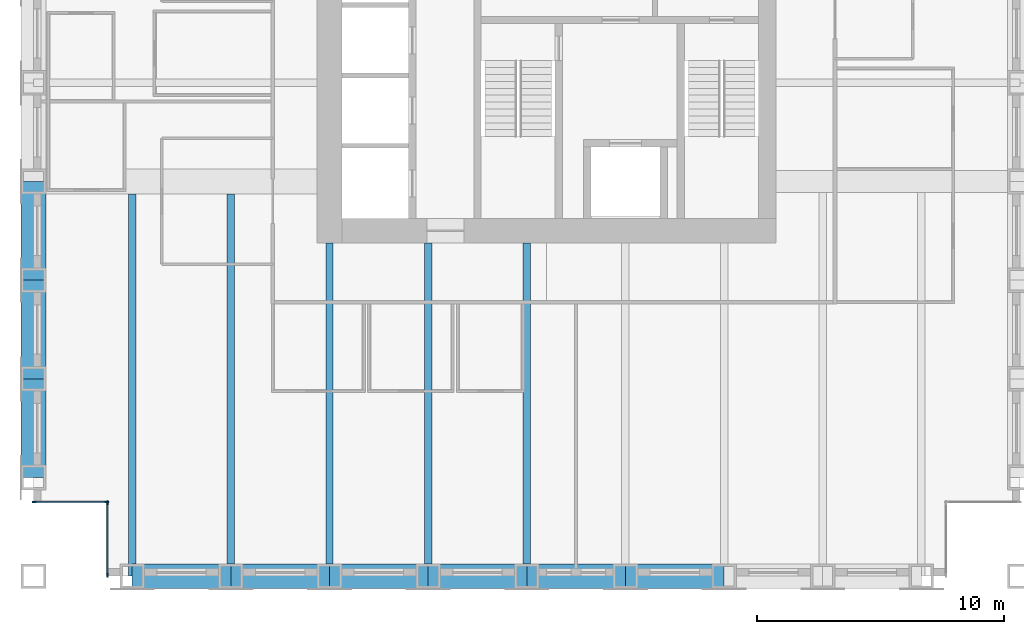
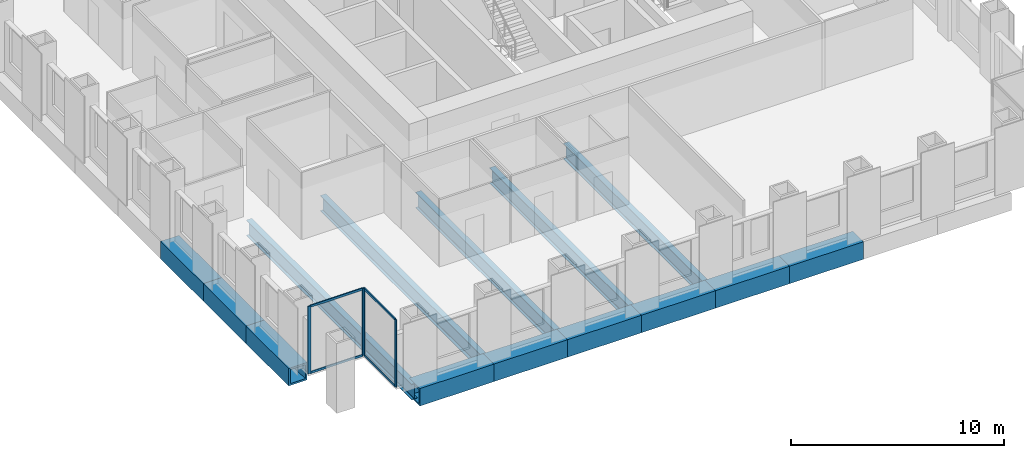
# One storey, part 2 of 13: 14 beams, 8 members, 2 elements without a shape of their own.
"""IFC4 building model written with IfcOpenShell, lengths in metres."""

import ifcopenshell
import ifcopenshell.guid

model = None  # the IFC model being written
_history = None  # IfcOwnerHistory: only IFC2X3 demands one
_inside = {}  # id of a spatial element -> (the spatial element, [elements in it])
_under = {}  # id of a project, library or spatial element -> (it, [spatial elements below it])
_declared = {}  # id of a project -> (the project, [libraries it declares])
_typed = {}  # id of a type object -> (the type object, [elements of that type])
_made_of = {}  # id of a material, layer set ... -> (it, [elements and type objects made of it])


def new_model(schema):
    """Start an empty IFC model of exactly this schema.

    Asked for "IFC4X3", IfcOpenShell would pick the latest addendum, in which some entities
    have other attributes; the version numbers below select the first issue.
    IFC2X3 requires an IfcOwnerHistory on every rooted entity: one is made here for all.
    """
    global model, _history
    if schema == "IFC4X3":
        model = ifcopenshell.file(schema_version=(4, 3, 0, 0))
    else:
        model = ifcopenshell.file(schema=schema)
    _inside.clear()
    _under.clear()
    _declared.clear()
    _typed.clear()
    _made_of.clear()
    _history = None
    if model.schema == "IFC2X3":
        org = make("IfcOrganization", Name="unknown")
        user = make(
            "IfcPersonAndOrganization",
            ThePerson=make("IfcPerson", FamilyName="unknown"),
            TheOrganization=org,
        )
        app = make(
            "IfcApplication",
            ApplicationDeveloper=org,
            Version="unknown",
            ApplicationFullName="unknown",
            ApplicationIdentifier="unknown",
        )
        _history = make(
            "IfcOwnerHistory",
            OwningUser=user,
            OwningApplication=app,
            ChangeAction="ADDED",
            CreationDate=0,
        )
    return model


def make(cls, **values):
    """One entity of the class cls with the attributes given. An attribute that is None is left unset."""
    return model.create_entity(
        cls, **{name: value for name, value in values.items() if value is not None}
    )


def rooted(cls, **values):
    """An entity with a GlobalId (a new one), such as an element, a storey or a relation."""
    return make(cls, GlobalId=ifcopenshell.guid.new(), OwnerHistory=_history, **values)


def si_unit(unit_type, name, prefix=None):
    """IfcSIUnit, for example si_unit("LENGTHUNIT", "METRE", prefix="MILLI")."""
    return make("IfcSIUnit", UnitType=unit_type, Prefix=prefix, Name=name)


def assignment(units):
    """IfcUnitAssignment: the units of a project."""
    return None if units is None else make("IfcUnitAssignment", Units=units)


def point(xyz):
    """IfcCartesianPoint."""
    return None if xyz is None else make("IfcCartesianPoint", Coordinates=xyz)


def direction(xyz):
    """IfcDirection."""
    return None if xyz is None else make("IfcDirection", DirectionRatios=xyz)


def frame(location, z_axis=None, x_axis=None):
    """IfcAxis2Placement3D, a coordinate frame: its origin and axes. An axis left out is left unset."""
    return make(
        "IfcAxis2Placement3D",
        Location=point(location),
        Axis=direction(z_axis),
        RefDirection=direction(x_axis),
    )


def frame_2d(location, x_axis=None):
    """IfcAxis2Placement2D, a coordinate frame in the plane: its origin and x axis."""
    return make(
        "IfcAxis2Placement2D", Location=point(location), RefDirection=direction(x_axis)
    )


def origin():
    """The frame at (0, 0, 0) with its axes left unset."""
    return frame((0.0, 0.0, 0.0))


def origin_2d():
    """The frame at (0, 0) in the plane with its x axis left unset."""
    return frame_2d((0.0, 0.0))


def place(relative_to, where):
    """IfcLocalPlacement: puts the frame where relative to a parent placement (None: the world)."""
    return make(
        "IfcLocalPlacement", PlacementRelTo=relative_to, RelativePlacement=where
    )


def context(
    kind, dimensions, precision=None, world=None, true_north=None, identifier=None
):
    """IfcGeometricRepresentationContext, for example the 3D "Model" context."""
    return make(
        "IfcGeometricRepresentationContext",
        ContextIdentifier=identifier,
        ContextType=kind,
        CoordinateSpaceDimension=dimensions,
        Precision=precision,
        WorldCoordinateSystem=world,
        TrueNorth=true_north,
    )


def subcontext(parent, identifier, kind, view, scale=None):
    """IfcGeometricRepresentationSubContext, for example "Body" below "Model"."""
    return make(
        "IfcGeometricRepresentationSubContext",
        ContextIdentifier=identifier,
        ContextType=kind,
        ParentContext=parent,
        TargetScale=scale,
        TargetView=view,
    )


def project(units=None, contexts=None):
    """IfcProject with its units and contexts."""
    return rooted(
        "IfcProject",
        Name="project",
        RepresentationContexts=contexts,
        UnitsInContext=assignment(units),
    )


def spatial(cls, under=None, at=None, **own):
    """A site, building, storey or space (cls), placed at a placement, below another one or the project."""
    s = rooted(cls, ObjectPlacement=at, **own)
    if under is not None:
        _under.setdefault(under.id(), (under, []))[1].append(s)
    return s


def profile(cls, at=None, kind="AREA", **sizes):
    """A parametric profile (cls). Its sizes go by their IFC names, for example OverallWidth=200.0."""
    return make(cls, ProfileType=kind, Position=at, **sizes)


def rectangle(**sizes):
    """IfcRectangleProfileDef."""
    return profile("IfcRectangleProfileDef", **sizes)


def hollow_rectangle(**sizes):
    """IfcRectangleHollowProfileDef."""
    return profile("IfcRectangleHollowProfileDef", **sizes)


def i_section(**sizes):
    """IfcIShapeProfileDef."""
    return profile("IfcIShapeProfileDef", **sizes)


def extrude(swept, where, along, depth):
    """IfcExtrudedAreaSolid: the profile swept, set in the frame where, extruded along a direction by depth."""
    return make(
        "IfcExtrudedAreaSolid",
        SweptArea=swept,
        Position=where,
        ExtrudedDirection=direction(along),
        Depth=depth,
    )


def shape(context_of_items, identifier, shape_type, items):
    """IfcShapeRepresentation: the items that make up one representation, for example the "Body"."""
    return make(
        "IfcShapeRepresentation",
        ContextOfItems=context_of_items,
        RepresentationIdentifier=identifier,
        RepresentationType=shape_type,
        Items=items,
    )


def material(Name=None, Category=None):
    """IfcMaterial."""
    return make("IfcMaterial", Name=Name, Category=Category)


def material_profile(
    of_material, cross_section, Name=None, Category=None, Priority=None
):
    """IfcMaterialProfile: a cross section and its material."""
    return make(
        "IfcMaterialProfile",
        Name=Name,
        Material=of_material,
        Profile=cross_section,
        Priority=Priority,
        Category=Category,
    )


def profile_set(profiles, Name=None, composite=None):
    """IfcMaterialProfileSet."""
    return make(
        "IfcMaterialProfileSet",
        Name=Name,
        MaterialProfiles=profiles,
        CompositeProfile=composite,
    )


def made_of(thing, what):
    """Note that an element or type object is made of a material, layer set ...; save() writes the relation."""
    if what is not None:
        _made_of.setdefault(what.id(), (what, []))[1].append(thing)
    return thing


def type_object(cls, material=None, **own):
    """A type object (cls), such as IfcWallType, which elements share."""
    return made_of(rooted(cls, **own), material)


def element(
    cls,
    number,
    at=None,
    inside=None,
    cuts=None,
    type_object=None,
    material=None,
    context=None,
    identifier="Body",
    shape_type=None,
    held_by="IfcProductDefinitionShape",
    body=None,
    shapes=None,
    **own,
):
    """One element of the class cls, such as IfcWall. Its Tag is "e" and its number.

    at: its placement. inside: the storey or other place that contains it. cuts: it is an
    opening in that element (IfcRelVoidsElement). A single representation is given by context,
    identifier, shape_type and body (its items); several are given by shapes. held_by: the class
    of the entity that holds the representations. save() writes the other relations.
    """
    e = rooted(cls, Tag="e%d" % number, ObjectPlacement=at, **own)
    if body is not None:
        shapes = [shape(context, identifier, shape_type, body)]
    if shapes is not None:
        e.Representation = make(held_by, Representations=shapes)
    if inside is not None:
        _inside.setdefault(inside.id(), (inside, []))[1].append(e)
    if cuts is not None:
        rooted(
            "IfcRelVoidsElement", RelatingBuildingElement=cuts, RelatedOpeningElement=e
        )
    if type_object is not None:
        _typed.setdefault(type_object.id(), (type_object, []))[1].append(e)
    return made_of(e, material)


def aggregate(whole, parts):
    """IfcRelAggregates: a whole, such as a stair, and the parts it consists of."""
    return rooted("IfcRelAggregates", RelatingObject=whole, RelatedObjects=parts)


def save(model, path):
    """Write the relations noted so far, then the file.

    IfcRelAggregates (storeys below a building ...), IfcRelContainedInSpatialStructure (elements
    in a storey), IfcRelDefinesByType, IfcRelAssociatesMaterial and IfcRelDeclares: one each for
    every whole, place, type object, material and project.
    """
    for whole, parts in _under.values():
        aggregate(whole, parts)
    for where, things in _inside.values():
        rooted(
            "IfcRelContainedInSpatialStructure",
            RelatedElements=things,
            RelatingStructure=where,
        )
    for kind, things in _typed.values():
        rooted("IfcRelDefinesByType", RelatedObjects=things, RelatingType=kind)
    for what, things in _made_of.values():
        rooted("IfcRelAssociatesMaterial", RelatedObjects=things, RelatingMaterial=what)
    for by, libraries in _declared.values():
        rooted("IfcRelDeclares", RelatingContext=by, RelatedDefinitions=libraries)
    model.write(path)


model = new_model("IFC4")

# Units and contexts
model_context = context("Model", 3, precision=1e-05, world=origin(), true_north=direction((0.0, 1.0)))
body_context = subcontext(model_context, "Body", "Model", "MODEL_VIEW")
ifc_project = project(units=[si_unit("LENGTHUNIT", "METRE"), si_unit("AREAUNIT", "SQUARE_METRE"), si_unit("VOLUMEUNIT", "CUBIC_METRE"), si_unit("PLANEANGLEUNIT", "RADIAN"), si_unit("MASSUNIT", "GRAM", prefix="KILO")], contexts=[model_context])

# Site, building, storey
site_placement = place(None, origin())
site = spatial("IfcSite", under=ifc_project, at=site_placement, CompositionType="ELEMENT")
building_placement = place(site_placement, origin())
building = spatial("IfcBuilding", under=site, at=building_placement, Name="Rimbunsela Tower", CompositionType="ELEMENT")
storey_placement = place(building_placement, frame((0.0, 0.0, 294.199951171875)))
storey = spatial("IfcBuildingStorey", under=building, at=storey_placement, Name="L71", CompositionType="ELEMENT", Elevation=294.199951171875)

# Beams
ifc_material_1 = material(Name="Steel BJ 55 (fy 410 MPa)", Category="steel")
ifc_material_profile_1 = material_profile(ifc_material_1, hollow_rectangle(XDim=1.0, YDim=1.0, WallThickness=0.10009765625, at=origin_2d()), Name="BOX 1000x1000x100")
ifc_profile_set_1 = profile_set([ifc_material_profile_1], Name="Steel BJ 55 (fy 410 MPa)")
beam_type_1 = type_object("IfcBeamType", Name="Beam BOX 1000x1000x100", PredefinedType="BEAM", material=ifc_profile_set_1)
for number, where, z_axis, x_axis, name in (
    (1, (6.0, 8.0, -0.64990234375), (0.0, 1.0, 0.0), (-1.0, 0.0, 0.0), "Beam B3 L71"),
    (2, (6.0, 12.0, -0.64990234375), (0.0, 1.0, 0.0), (-1.0, 0.0, 0.0), "Beam B3 L71"),
    (3, (6.0, 16.0, -0.64990234375), (0.0, 1.0, 0.0), (-1.0, 0.0, 0.0), "Beam B3 L71"),
    (4, (10.0, 4.0, -0.64990234375), (1.0, 0.0, 0.0), (0.0, 1.0, 0.0), "Beam B3 L71"),
    (5, (14.0, 4.0, -0.64990234375), (1.0, 0.0, 0.0), (0.0, 1.0, 0.0), "Beam B3 L71"),
    (6, (18.0, 4.0, -0.64990234375), (1.0, 0.0, 0.0), (0.0, 1.0, 0.0), "Beam B3 L71"),
    (7, (22.0, 4.0, -0.64990234375), (1.0, 0.0, 0.0), (0.0, 1.0, 0.0), "Beam B3 L71"),
    (8, (26.0, 4.0, -0.64990234375), (1.0, 0.0, 0.0), (0.0, 1.0, 0.0), "Beam B3 L71"),
    (9, (30.0, 4.0, -0.64990234375), (1.0, 0.0, 0.0), (0.0, 1.0, 0.0), "Beam B3 L71"),
):
    element("IfcBeam", number, at=place(storey_placement, frame(where, z_axis=z_axis, x_axis=x_axis)), inside=storey, type_object=beam_type_1, Name=name, PredefinedType="BEAM", context=body_context, shape_type="SweptSolid", body=[
        extrude(hollow_rectangle(XDim=1.0, YDim=1.0, WallThickness=0.10009765625, at=origin_2d()), origin(), (0.0, 0.0, 1.0), 4.0),
    ])
ifc_material_2 = material(Name="Steel BJ 55 (fy 410 MPa)", Category="steel")
ifc_material_profile_2 = material_profile(ifc_material_2, i_section(OverallWidth=0.300048828125, OverallDepth=0.89990234375, WebThickness=0.01611328125, FlangeThickness=0.028076171875, FilletRadius=0.028076171875, at=origin_2d()), Name="H 900x300x16x28")
ifc_profile_set_2 = profile_set([ifc_material_profile_2], Name="Steel BJ 55 (fy 410 MPa)")
beam_type_2 = type_object("IfcBeamType", Name="Beam H 900x300x16x28", PredefinedType="BEAM", material=ifc_profile_set_2)
for number, where, z_axis, x_axis, name in (
    (10, (10.0, 4.0, -0.599853515625), (0.0, 1.0, 0.0), (-1.0, 0.0, 0.0), "Beam B2 L71"),
    (11, (14.0, 4.0, -0.599853515625), (0.0, 1.0, 0.0), (-1.0, 0.0, 0.0), "Beam B2 L71"),
):
    element("IfcBeam", number, at=place(storey_placement, frame(where, z_axis=z_axis, x_axis=x_axis)), inside=storey, type_object=beam_type_2, Name=name, PredefinedType="BEAM", context=body_context, shape_type="SweptSolid", body=[
        extrude(i_section(OverallWidth=0.300048828125, OverallDepth=0.89990234375, WebThickness=0.01611328125, FlangeThickness=0.028076171875, FilletRadius=0.028076171875, at=origin_2d()), origin(), (0.0, 0.0, 1.0), 15.5),
    ])
for number, where, z_axis, x_axis, name in (
    (12, (18.0, 4.0, -0.599853515625), (0.0, 1.0, 0.0), (-1.0, 0.0, 0.0), "Beam B2 L71"),
    (13, (22.0, 4.0, -0.599853515625), (0.0, 1.0, 0.0), (-1.0, 0.0, 0.0), "Beam B2 L71"),
    (14, (26.0, 4.0, -0.599853515625), (0.0, 1.0, 0.0), (-1.0, 0.0, 0.0), "Beam B2 L71"),
):
    element("IfcBeam", number, at=place(storey_placement, frame(where, z_axis=z_axis, x_axis=x_axis)), inside=storey, type_object=beam_type_2, Name=name, PredefinedType="BEAM", context=body_context, shape_type="SweptSolid", body=[
        extrude(i_section(OverallWidth=0.300048828125, OverallDepth=0.89990234375, WebThickness=0.01611328125, FlangeThickness=0.028076171875, FilletRadius=0.028076171875, at=origin_2d()), origin(), (0.0, 0.0, 1.0), 13.5),
    ])

# Curtain wall, members
ifc_material_3 = material(Name="Aluminium curtain wall", Category="aluminium")
curtain_wall_type = type_object("IfcCurtainWallType", Name="Corner glazing", PredefinedType="USERDEFINED", material=ifc_material_3)
curtain_wall_1_placement = place(storey_placement, origin())
curtain_wall_1 = element("IfcCurtainWall", 15, at=curtain_wall_1_placement, inside=storey, type_object=curtain_wall_type, Name="Corner glazing L71", ObjectType="CORNER GLAZING", PredefinedType="USERDEFINED")
ifc_material_4 = material(Name="Aluminium mullion", Category="aluminium")
ifc_material_profile_3 = material_profile(ifc_material_4, rectangle(XDim=0.06005859375, YDim=0.159912109375, at=origin_2d()), Name="Mullion 60x160")
ifc_profile_set_3 = profile_set([ifc_material_profile_3], Name="Aluminium mullion")
member_type_1 = type_object("IfcMemberType", Name="Curtain wall mullion 60x160", PredefinedType="MULLION", material=ifc_profile_set_3)
member_1_placement = place(storey_placement, frame((6.030029296875, 7.0, 0.0), z_axis=(0.0, 0.0, 1.0), x_axis=(0.0, 1.0, 0.0)))
member_1 = element("IfcMember", 16, at=member_1_placement, type_object=member_type_1, Name="CW5 mullion 1", PredefinedType="MULLION", context=body_context, shape_type="SweptSolid", body=[
    extrude(rectangle(XDim=0.06005859375, YDim=0.159912109375, at=origin_2d()), origin(), (0.0, 0.0, 1.0), 3.85009765625),
])
member_2_placement = place(storey_placement, frame((8.969970703125, 7.0, 0.0), z_axis=(0.0, 0.0, 1.0), x_axis=(0.0, 1.0, 0.0)))
member_2 = element("IfcMember", 17, at=member_2_placement, type_object=member_type_1, Name="CW5 mullion 2", PredefinedType="MULLION", context=body_context, shape_type="SweptSolid", body=[
    extrude(rectangle(XDim=0.06005859375, YDim=0.159912109375, at=origin_2d()), origin(), (0.0, 0.0, 1.0), 3.85009765625),
])

curtain_wall_2_placement = place(storey_placement, origin())
curtain_wall_2 = element("IfcCurtainWall", 18, at=curtain_wall_2_placement, inside=storey, type_object=curtain_wall_type, Name="Corner glazing L71", ObjectType="CORNER GLAZING", PredefinedType="USERDEFINED")
member_3_placement = place(storey_placement, frame((9.0, 6.969970703125, 0.0), z_axis=(0.0, 0.0, 1.0), x_axis=(1.0, 0.0, 0.0)))
member_3 = element("IfcMember", 19, at=member_3_placement, type_object=member_type_1, Name="CW5 mullion 1", PredefinedType="MULLION", context=body_context, shape_type="SweptSolid", body=[
    extrude(rectangle(XDim=0.06005859375, YDim=0.159912109375, at=origin_2d()), origin(), (0.0, 0.0, 1.0), 3.85009765625),
])
member_4_placement = place(storey_placement, frame((9.0, 4.030029296875, 0.0), z_axis=(0.0, 0.0, 1.0), x_axis=(1.0, 0.0, 0.0)))
member_4 = element("IfcMember", 20, at=member_4_placement, type_object=member_type_1, Name="CW5 mullion 2", PredefinedType="MULLION", context=body_context, shape_type="SweptSolid", body=[
    extrude(rectangle(XDim=0.06005859375, YDim=0.159912109375, at=origin_2d()), origin(), (0.0, 0.0, 1.0), 3.85009765625),
])

# Member
ifc_material_5 = material(Name="Aluminium transom", Category="aluminium")
ifc_material_profile_4 = material_profile(ifc_material_5, rectangle(XDim=0.06005859375, YDim=0.1201171875, at=origin_2d()), Name="Transom 60x120")
ifc_profile_set_4 = profile_set([ifc_material_profile_4], Name="Aluminium transom")
member_type_2 = type_object("IfcMemberType", Name="Curtain wall transom 60x120", PredefinedType="USERDEFINED", material=ifc_profile_set_4)
member_5_placement = place(storey_placement, frame((6.06005859375, 7.0, 0.030029296875), z_axis=(1.0, 0.0, 0.0), x_axis=(0.0, 1.0, 0.0)))
member_5 = element("IfcMember", 21, at=member_5_placement, type_object=member_type_2, Name="CW5 transom 1.1", ObjectType="TRANSOM", PredefinedType="USERDEFINED", context=body_context, shape_type="SweptSolid", body=[
    extrude(rectangle(XDim=0.06005859375, YDim=0.1201171875, at=origin_2d()), origin(), (0.0, 0.0, 1.0), 2.8798828125),
])

member_6_placement = place(storey_placement, frame((6.06005859375, 7.0, 3.820068359375), z_axis=(1.0, 0.0, 0.0), x_axis=(0.0, 1.0, 0.0)))
member_6 = element("IfcMember", 22, at=member_6_placement, type_object=member_type_2, Name="CW5 transom 1.2", ObjectType="TRANSOM", PredefinedType="USERDEFINED", context=body_context, shape_type="SweptSolid", body=[
    extrude(rectangle(XDim=0.06005859375, YDim=0.1201171875, at=origin_2d()), origin(), (0.0, 0.0, 1.0), 2.8798828125),
])

aggregate(curtain_wall_1, [member_1, member_2, member_5, member_6])

member_7_placement = place(storey_placement, frame((9.0, 6.93994140625, 0.030029296875), z_axis=(0.0, -1.0, 0.0), x_axis=(1.0, 0.0, 0.0)))
member_7 = element("IfcMember", 23, at=member_7_placement, type_object=member_type_2, Name="CW5 transom 1.1", ObjectType="TRANSOM", PredefinedType="USERDEFINED", context=body_context, shape_type="SweptSolid", body=[
    extrude(rectangle(XDim=0.06005859375, YDim=0.1201171875, at=origin_2d()), origin(), (0.0, 0.0, 1.0), 2.8798828125),
])

member_8_placement = place(storey_placement, frame((9.0, 6.93994140625, 3.820068359375), z_axis=(0.0, -1.0, 0.0), x_axis=(1.0, 0.0, 0.0)))
member_8 = element("IfcMember", 24, at=member_8_placement, type_object=member_type_2, Name="CW5 transom 1.2", ObjectType="TRANSOM", PredefinedType="USERDEFINED", context=body_context, shape_type="SweptSolid", body=[
    extrude(rectangle(XDim=0.06005859375, YDim=0.1201171875, at=origin_2d()), origin(), (0.0, 0.0, 1.0), 2.8798828125),
])

aggregate(curtain_wall_2, [member_3, member_4, member_7, member_8])

save(model, "model.ifc")
